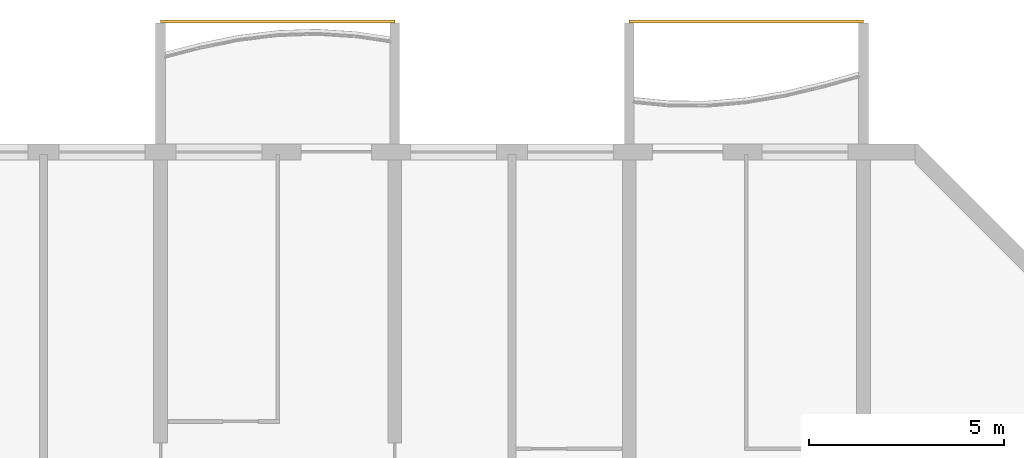
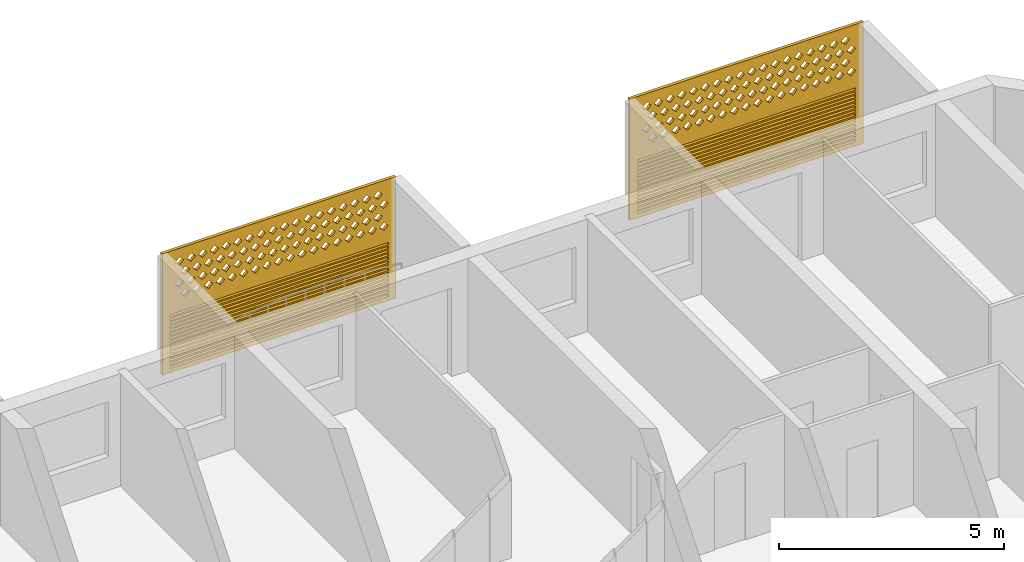
# One storey, part 25 of 25: 2 coverings.
"""IFC4 building model written with IfcOpenShell, lengths in metres."""

from ifc_helpers import new_model, si_unit, direction, frame, origin, place, context, subcontext, project, spatial, polyline, outline, extrude, source, transform, mapped, material, material_profile, profile_set, type_object, element, save


model = new_model("IFC4")

# Units and contexts
model_context = context("Model", 3, precision=1e-05, world=origin(), true_north=direction((0.0, 1.0)))
body_context = subcontext(model_context, "Body", "Model", "MODEL_VIEW")
ifc_project = project(units=[si_unit("LENGTHUNIT", "METRE"), si_unit("AREAUNIT", "SQUARE_METRE"), si_unit("VOLUMEUNIT", "CUBIC_METRE"), si_unit("PLANEANGLEUNIT", "RADIAN"), si_unit("MASSUNIT", "GRAM", prefix="KILO")], contexts=[model_context])

# Site, building, storey
site_placement = place(None, origin())
site = spatial("IfcSite", under=ifc_project, at=site_placement, CompositionType="ELEMENT")
building_placement = place(site_placement, origin())
building = spatial("IfcBuilding", under=site, at=building_placement, Name="Poui Terraces", CompositionType="ELEMENT")
storey_placement = place(building_placement, frame((0.0, 0.0, 89.39990234375)))
storey = spatial("IfcBuildingStorey", under=building, at=storey_placement, Name="L24", CompositionType="ELEMENT", Elevation=89.39990234375)

# Coverings
ifc_material = material(Name="Terracotta screen", Category="masonry")
ifc_material_profile = material_profile(ifc_material, outline(polyline([(-3.0, -1.64990234375), (3.0, -1.64990234375), (3.0, 1.64990234375), (-3.0, 1.64990234375), (-3.0, -1.64990234375)]), holes=[polyline([(-2.800048828125, 0.39990234375), (-2.68994140625, 0.2900390625), (-2.580078125, 0.39990234375), (-2.68994140625, 0.510009765625), (-2.800048828125, 0.39990234375)]), polyline([(-2.5, 0.39990234375), (-2.389892578125, 0.2900390625), (-2.280029296875, 0.39990234375), (-2.389892578125, 0.510009765625), (-2.5, 0.39990234375)]), polyline([(-2.199951171875, 0.39990234375), (-2.090087890625, 0.2900390625), (-1.97998046875, 0.39990234375), (-2.090087890625, 0.510009765625), (-2.199951171875, 0.39990234375)]), polyline([(-1.89990234375, 0.39990234375), (-1.7900390625, 0.2900390625), (-1.679931640625, 0.39990234375), (-1.7900390625, 0.510009765625), (-1.89990234375, 0.39990234375)]), polyline([(-1.60009765625, 0.39990234375), (-1.489990234375, 0.2900390625), (-1.3798828125, 0.39990234375), (-1.489990234375, 0.510009765625), (-1.60009765625, 0.39990234375)]), polyline([(-1.300048828125, 0.39990234375), (-1.18994140625, 0.2900390625), (-1.080078125, 0.39990234375), (-1.18994140625, 0.510009765625), (-1.300048828125, 0.39990234375)]), polyline([(-1.0, 0.39990234375), (-0.889892578125, 0.2900390625), (-0.780029296875, 0.39990234375), (-0.889892578125, 0.510009765625), (-1.0, 0.39990234375)]), polyline([(-0.699951171875, 0.39990234375), (-0.590087890625, 0.2900390625), (-0.47998046875, 0.39990234375), (-0.590087890625, 0.510009765625), (-0.699951171875, 0.39990234375)]), polyline([(-0.39990234375, 0.39990234375), (-0.2900390625, 0.2900390625), (-0.179931640625, 0.39990234375), (-0.2900390625, 0.510009765625), (-0.39990234375, 0.39990234375)]), polyline([(-0.10009765625, 0.39990234375), (0.010009765625, 0.2900390625), (0.1201171875, 0.39990234375), (0.010009765625, 0.510009765625), (-0.10009765625, 0.39990234375)]), polyline([(0.199951171875, 0.39990234375), (0.31005859375, 0.2900390625), (0.419921875, 0.39990234375), (0.31005859375, 0.510009765625), (0.199951171875, 0.39990234375)]), polyline([(0.5, 0.39990234375), (0.610107421875, 0.2900390625), (0.719970703125, 0.39990234375), (0.610107421875, 0.510009765625), (0.5, 0.39990234375)]), polyline([(0.800048828125, 0.39990234375), (0.909912109375, 0.2900390625), (1.02001953125, 0.39990234375), (0.909912109375, 0.510009765625), (0.800048828125, 0.39990234375)]), polyline([(1.10009765625, 0.39990234375), (1.2099609375, 0.2900390625), (1.320068359375, 0.39990234375), (1.2099609375, 0.510009765625), (1.10009765625, 0.39990234375)]), polyline([(1.39990234375, 0.39990234375), (1.510009765625, 0.2900390625), (1.6201171875, 0.39990234375), (1.510009765625, 0.510009765625), (1.39990234375, 0.39990234375)]), polyline([(1.699951171875, 0.39990234375), (1.81005859375, 0.2900390625), (1.919921875, 0.39990234375), (1.81005859375, 0.510009765625), (1.699951171875, 0.39990234375)]), polyline([(2.0, 0.39990234375), (2.110107421875, 0.2900390625), (2.219970703125, 0.39990234375), (2.110107421875, 0.510009765625), (2.0, 0.39990234375)]), polyline([(2.300048828125, 0.39990234375), (2.409912109375, 0.2900390625), (2.52001953125, 0.39990234375), (2.409912109375, 0.510009765625), (2.300048828125, 0.39990234375)]), polyline([(-2.64990234375, 0.699951171875), (-2.5400390625, 0.590087890625), (-2.429931640625, 0.699951171875), (-2.5400390625, 0.81005859375), (-2.64990234375, 0.699951171875)]), polyline([(-2.35009765625, 0.699951171875), (-2.239990234375, 0.590087890625), (-2.1298828125, 0.699951171875), (-2.239990234375, 0.81005859375), (-2.35009765625, 0.699951171875)]), polyline([(-2.050048828125, 0.699951171875), (-1.93994140625, 0.590087890625), (-1.830078125, 0.699951171875), (-1.93994140625, 0.81005859375), (-2.050048828125, 0.699951171875)]), polyline([(-1.75, 0.699951171875), (-1.639892578125, 0.590087890625), (-1.530029296875, 0.699951171875), (-1.639892578125, 0.81005859375), (-1.75, 0.699951171875)]), polyline([(-1.449951171875, 0.699951171875), (-1.340087890625, 0.590087890625), (-1.22998046875, 0.699951171875), (-1.340087890625, 0.81005859375), (-1.449951171875, 0.699951171875)]), polyline([(-1.14990234375, 0.699951171875), (-1.0400390625, 0.590087890625), (-0.929931640625, 0.699951171875), (-1.0400390625, 0.81005859375), (-1.14990234375, 0.699951171875)]), polyline([(-0.85009765625, 0.699951171875), (-0.739990234375, 0.590087890625), (-0.6298828125, 0.699951171875), (-0.739990234375, 0.81005859375), (-0.85009765625, 0.699951171875)]), polyline([(-0.550048828125, 0.699951171875), (-0.43994140625, 0.590087890625), (-0.330078125, 0.699951171875), (-0.43994140625, 0.81005859375), (-0.550048828125, 0.699951171875)]), polyline([(-0.25, 0.699951171875), (-0.139892578125, 0.590087890625), (-0.030029296875, 0.699951171875), (-0.139892578125, 0.81005859375), (-0.25, 0.699951171875)]), polyline([(0.050048828125, 0.699951171875), (0.159912109375, 0.590087890625), (0.27001953125, 0.699951171875), (0.159912109375, 0.81005859375), (0.050048828125, 0.699951171875)]), polyline([(0.35009765625, 0.699951171875), (0.4599609375, 0.590087890625), (0.570068359375, 0.699951171875), (0.4599609375, 0.81005859375), (0.35009765625, 0.699951171875)]), polyline([(0.64990234375, 0.699951171875), (0.760009765625, 0.590087890625), (0.8701171875, 0.699951171875), (0.760009765625, 0.81005859375), (0.64990234375, 0.699951171875)]), polyline([(0.949951171875, 0.699951171875), (1.06005859375, 0.590087890625), (1.169921875, 0.699951171875), (1.06005859375, 0.81005859375), (0.949951171875, 0.699951171875)]), polyline([(1.25, 0.699951171875), (1.360107421875, 0.590087890625), (1.469970703125, 0.699951171875), (1.360107421875, 0.81005859375), (1.25, 0.699951171875)]), polyline([(1.550048828125, 0.699951171875), (1.659912109375, 0.590087890625), (1.77001953125, 0.699951171875), (1.659912109375, 0.81005859375), (1.550048828125, 0.699951171875)]), polyline([(1.85009765625, 0.699951171875), (1.9599609375, 0.590087890625), (2.070068359375, 0.699951171875), (1.9599609375, 0.81005859375), (1.85009765625, 0.699951171875)]), polyline([(2.14990234375, 0.699951171875), (2.260009765625, 0.590087890625), (2.3701171875, 0.699951171875), (2.260009765625, 0.81005859375), (2.14990234375, 0.699951171875)]), polyline([(2.449951171875, 0.699951171875), (2.56005859375, 0.590087890625), (2.669921875, 0.699951171875), (2.56005859375, 0.81005859375), (2.449951171875, 0.699951171875)]), polyline([(-2.800048828125, 1.0), (-2.68994140625, 0.889892578125), (-2.580078125, 1.0), (-2.68994140625, 1.110107421875), (-2.800048828125, 1.0)]), polyline([(-2.5, 1.0), (-2.389892578125, 0.889892578125), (-2.280029296875, 1.0), (-2.389892578125, 1.110107421875), (-2.5, 1.0)]), polyline([(-2.199951171875, 1.0), (-2.090087890625, 0.889892578125), (-1.97998046875, 1.0), (-2.090087890625, 1.110107421875), (-2.199951171875, 1.0)]), polyline([(-1.89990234375, 1.0), (-1.7900390625, 0.889892578125), (-1.679931640625, 1.0), (-1.7900390625, 1.110107421875), (-1.89990234375, 1.0)]), polyline([(-1.60009765625, 1.0), (-1.489990234375, 0.889892578125), (-1.3798828125, 1.0), (-1.489990234375, 1.110107421875), (-1.60009765625, 1.0)]), polyline([(-1.300048828125, 1.0), (-1.18994140625, 0.889892578125), (-1.080078125, 1.0), (-1.18994140625, 1.110107421875), (-1.300048828125, 1.0)]), polyline([(-1.0, 1.0), (-0.889892578125, 0.889892578125), (-0.780029296875, 1.0), (-0.889892578125, 1.110107421875), (-1.0, 1.0)]), polyline([(-0.699951171875, 1.0), (-0.590087890625, 0.889892578125), (-0.47998046875, 1.0), (-0.590087890625, 1.110107421875), (-0.699951171875, 1.0)]), polyline([(-0.39990234375, 1.0), (-0.2900390625, 0.889892578125), (-0.179931640625, 1.0), (-0.2900390625, 1.110107421875), (-0.39990234375, 1.0)]), polyline([(-0.10009765625, 1.0), (0.010009765625, 0.889892578125), (0.1201171875, 1.0), (0.010009765625, 1.110107421875), (-0.10009765625, 1.0)]), polyline([(0.199951171875, 1.0), (0.31005859375, 0.889892578125), (0.419921875, 1.0), (0.31005859375, 1.110107421875), (0.199951171875, 1.0)]), polyline([(0.5, 1.0), (0.610107421875, 0.889892578125), (0.719970703125, 1.0), (0.610107421875, 1.110107421875), (0.5, 1.0)]), polyline([(0.800048828125, 1.0), (0.909912109375, 0.889892578125), (1.02001953125, 1.0), (0.909912109375, 1.110107421875), (0.800048828125, 1.0)]), polyline([(1.10009765625, 1.0), (1.2099609375, 0.889892578125), (1.320068359375, 1.0), (1.2099609375, 1.110107421875), (1.10009765625, 1.0)]), polyline([(1.39990234375, 1.0), (1.510009765625, 0.889892578125), (1.6201171875, 1.0), (1.510009765625, 1.110107421875), (1.39990234375, 1.0)]), polyline([(1.699951171875, 1.0), (1.81005859375, 0.889892578125), (1.919921875, 1.0), (1.81005859375, 1.110107421875), (1.699951171875, 1.0)]), polyline([(2.0, 1.0), (2.110107421875, 0.889892578125), (2.219970703125, 1.0), (2.110107421875, 1.110107421875), (2.0, 1.0)]), polyline([(2.300048828125, 1.0), (2.409912109375, 0.889892578125), (2.52001953125, 1.0), (2.409912109375, 1.110107421875), (2.300048828125, 1.0)]), polyline([(-2.64990234375, 1.300048828125), (-2.5400390625, 1.18994140625), (-2.429931640625, 1.300048828125), (-2.5400390625, 1.409912109375), (-2.64990234375, 1.300048828125)]), polyline([(-2.35009765625, 1.300048828125), (-2.239990234375, 1.18994140625), (-2.1298828125, 1.300048828125), (-2.239990234375, 1.409912109375), (-2.35009765625, 1.300048828125)]), polyline([(-2.050048828125, 1.300048828125), (-1.93994140625, 1.18994140625), (-1.830078125, 1.300048828125), (-1.93994140625, 1.409912109375), (-2.050048828125, 1.300048828125)]), polyline([(-1.75, 1.300048828125), (-1.639892578125, 1.18994140625), (-1.530029296875, 1.300048828125), (-1.639892578125, 1.409912109375), (-1.75, 1.300048828125)]), polyline([(-1.449951171875, 1.300048828125), (-1.340087890625, 1.18994140625), (-1.22998046875, 1.300048828125), (-1.340087890625, 1.409912109375), (-1.449951171875, 1.300048828125)]), polyline([(-1.14990234375, 1.300048828125), (-1.0400390625, 1.18994140625), (-0.929931640625, 1.300048828125), (-1.0400390625, 1.409912109375), (-1.14990234375, 1.300048828125)]), polyline([(-0.85009765625, 1.300048828125), (-0.739990234375, 1.18994140625), (-0.6298828125, 1.300048828125), (-0.739990234375, 1.409912109375), (-0.85009765625, 1.300048828125)]), polyline([(-0.550048828125, 1.300048828125), (-0.43994140625, 1.18994140625), (-0.330078125, 1.300048828125), (-0.43994140625, 1.409912109375), (-0.550048828125, 1.300048828125)]), polyline([(-0.25, 1.300048828125), (-0.139892578125, 1.18994140625), (-0.030029296875, 1.300048828125), (-0.139892578125, 1.409912109375), (-0.25, 1.300048828125)]), polyline([(0.050048828125, 1.300048828125), (0.159912109375, 1.18994140625), (0.27001953125, 1.300048828125), (0.159912109375, 1.409912109375), (0.050048828125, 1.300048828125)]), polyline([(0.35009765625, 1.300048828125), (0.4599609375, 1.18994140625), (0.570068359375, 1.300048828125), (0.4599609375, 1.409912109375), (0.35009765625, 1.300048828125)]), polyline([(0.64990234375, 1.300048828125), (0.760009765625, 1.18994140625), (0.8701171875, 1.300048828125), (0.760009765625, 1.409912109375), (0.64990234375, 1.300048828125)]), polyline([(0.949951171875, 1.300048828125), (1.06005859375, 1.18994140625), (1.169921875, 1.300048828125), (1.06005859375, 1.409912109375), (0.949951171875, 1.300048828125)]), polyline([(1.25, 1.300048828125), (1.360107421875, 1.18994140625), (1.469970703125, 1.300048828125), (1.360107421875, 1.409912109375), (1.25, 1.300048828125)]), polyline([(1.550048828125, 1.300048828125), (1.659912109375, 1.18994140625), (1.77001953125, 1.300048828125), (1.659912109375, 1.409912109375), (1.550048828125, 1.300048828125)]), polyline([(1.85009765625, 1.300048828125), (1.9599609375, 1.18994140625), (2.070068359375, 1.300048828125), (1.9599609375, 1.409912109375), (1.85009765625, 1.300048828125)]), polyline([(2.14990234375, 1.300048828125), (2.260009765625, 1.18994140625), (2.3701171875, 1.300048828125), (2.260009765625, 1.409912109375), (2.14990234375, 1.300048828125)]), polyline([(2.449951171875, 1.300048828125), (2.56005859375, 1.18994140625), (2.669921875, 1.300048828125), (2.56005859375, 1.409912109375), (2.449951171875, 1.300048828125)]), polyline([(-2.800048828125, -1.530029296875), (2.800048828125, -1.530029296875), (2.800048828125, -1.469970703125), (-2.800048828125, -1.469970703125), (-2.800048828125, -1.530029296875)]), polyline([(-2.800048828125, -1.429931640625), (2.800048828125, -1.429931640625), (2.800048828125, -1.3701171875), (-2.800048828125, -1.3701171875), (-2.800048828125, -1.429931640625)]), polyline([(-2.800048828125, -1.330078125), (2.800048828125, -1.330078125), (2.800048828125, -1.27001953125), (-2.800048828125, -1.27001953125), (-2.800048828125, -1.330078125)]), polyline([(-2.800048828125, -1.22998046875), (2.800048828125, -1.22998046875), (2.800048828125, -1.169921875), (-2.800048828125, -1.169921875), (-2.800048828125, -1.22998046875)]), polyline([(-2.800048828125, -1.1298828125), (2.800048828125, -1.1298828125), (2.800048828125, -1.070068359375), (-2.800048828125, -1.070068359375), (-2.800048828125, -1.1298828125)]), polyline([(-2.800048828125, -1.030029296875), (2.800048828125, -1.030029296875), (2.800048828125, -0.969970703125), (-2.800048828125, -0.969970703125), (-2.800048828125, -1.030029296875)]), polyline([(-2.800048828125, -0.929931640625), (2.800048828125, -0.929931640625), (2.800048828125, -0.8701171875), (-2.800048828125, -0.8701171875), (-2.800048828125, -0.929931640625)]), polyline([(-2.800048828125, -0.830078125), (2.800048828125, -0.830078125), (2.800048828125, -0.77001953125), (-2.800048828125, -0.77001953125), (-2.800048828125, -0.830078125)]), polyline([(-2.800048828125, -0.72998046875), (2.800048828125, -0.72998046875), (2.800048828125, -0.669921875), (-2.800048828125, -0.669921875), (-2.800048828125, -0.72998046875)]), polyline([(-2.800048828125, -0.6298828125), (2.800048828125, -0.6298828125), (2.800048828125, -0.570068359375), (-2.800048828125, -0.570068359375), (-2.800048828125, -0.6298828125)]), polyline([(-2.800048828125, -0.530029296875), (2.800048828125, -0.530029296875), (2.800048828125, -0.469970703125), (-2.800048828125, -0.469970703125), (-2.800048828125, -0.530029296875)]), polyline([(-2.800048828125, -0.429931640625), (2.800048828125, -0.429931640625), (2.800048828125, -0.3701171875), (-2.800048828125, -0.3701171875), (-2.800048828125, -0.429931640625)]), polyline([(-2.800048828125, -0.330078125), (2.800048828125, -0.330078125), (2.800048828125, -0.27001953125), (-2.800048828125, -0.27001953125), (-2.800048828125, -0.330078125)]), polyline([(-2.800048828125, -0.22998046875), (2.800048828125, -0.22998046875), (2.800048828125, -0.169921875), (-2.800048828125, -0.169921875), (-2.800048828125, -0.22998046875)]), polyline([(-2.800048828125, -0.1298828125), (2.800048828125, -0.1298828125), (2.800048828125, -0.070068359375), (-2.800048828125, -0.070068359375), (-2.800048828125, -0.1298828125)])]), Name="TERRACOTTA SCREEN AND JALOUSIE LOUVRE 6000X3300")
ifc_profile_set = profile_set([ifc_material_profile], Name="Terracotta screen")
covering_type = type_object("IfcCoveringType", Name="TERRACOTTA SCREEN AND JALOUSIE LOUVRE 6000X3300", PredefinedType="CLADDING", material=ifc_profile_set)
shared_shape = source(origin(), body_context, "Body", "SweptSolid", [
    extrude(outline(polyline([(-3.0, -1.64990234375), (3.0, -1.64990234375), (3.0, 1.64990234375), (-3.0, 1.64990234375), (-3.0, -1.64990234375)]), holes=[polyline([(-2.800048828125, 0.39990234375), (-2.68994140625, 0.2900390625), (-2.580078125, 0.39990234375), (-2.68994140625, 0.510009765625), (-2.800048828125, 0.39990234375)]), polyline([(-2.5, 0.39990234375), (-2.389892578125, 0.2900390625), (-2.280029296875, 0.39990234375), (-2.389892578125, 0.510009765625), (-2.5, 0.39990234375)]), polyline([(-2.199951171875, 0.39990234375), (-2.090087890625, 0.2900390625), (-1.97998046875, 0.39990234375), (-2.090087890625, 0.510009765625), (-2.199951171875, 0.39990234375)]), polyline([(-1.89990234375, 0.39990234375), (-1.7900390625, 0.2900390625), (-1.679931640625, 0.39990234375), (-1.7900390625, 0.510009765625), (-1.89990234375, 0.39990234375)]), polyline([(-1.60009765625, 0.39990234375), (-1.489990234375, 0.2900390625), (-1.3798828125, 0.39990234375), (-1.489990234375, 0.510009765625), (-1.60009765625, 0.39990234375)]), polyline([(-1.300048828125, 0.39990234375), (-1.18994140625, 0.2900390625), (-1.080078125, 0.39990234375), (-1.18994140625, 0.510009765625), (-1.300048828125, 0.39990234375)]), polyline([(-1.0, 0.39990234375), (-0.889892578125, 0.2900390625), (-0.780029296875, 0.39990234375), (-0.889892578125, 0.510009765625), (-1.0, 0.39990234375)]), polyline([(-0.699951171875, 0.39990234375), (-0.590087890625, 0.2900390625), (-0.47998046875, 0.39990234375), (-0.590087890625, 0.510009765625), (-0.699951171875, 0.39990234375)]), polyline([(-0.39990234375, 0.39990234375), (-0.2900390625, 0.2900390625), (-0.179931640625, 0.39990234375), (-0.2900390625, 0.510009765625), (-0.39990234375, 0.39990234375)]), polyline([(-0.10009765625, 0.39990234375), (0.010009765625, 0.2900390625), (0.1201171875, 0.39990234375), (0.010009765625, 0.510009765625), (-0.10009765625, 0.39990234375)]), polyline([(0.199951171875, 0.39990234375), (0.31005859375, 0.2900390625), (0.419921875, 0.39990234375), (0.31005859375, 0.510009765625), (0.199951171875, 0.39990234375)]), polyline([(0.5, 0.39990234375), (0.610107421875, 0.2900390625), (0.719970703125, 0.39990234375), (0.610107421875, 0.510009765625), (0.5, 0.39990234375)]), polyline([(0.800048828125, 0.39990234375), (0.909912109375, 0.2900390625), (1.02001953125, 0.39990234375), (0.909912109375, 0.510009765625), (0.800048828125, 0.39990234375)]), polyline([(1.10009765625, 0.39990234375), (1.2099609375, 0.2900390625), (1.320068359375, 0.39990234375), (1.2099609375, 0.510009765625), (1.10009765625, 0.39990234375)]), polyline([(1.39990234375, 0.39990234375), (1.510009765625, 0.2900390625), (1.6201171875, 0.39990234375), (1.510009765625, 0.510009765625), (1.39990234375, 0.39990234375)]), polyline([(1.699951171875, 0.39990234375), (1.81005859375, 0.2900390625), (1.919921875, 0.39990234375), (1.81005859375, 0.510009765625), (1.699951171875, 0.39990234375)]), polyline([(2.0, 0.39990234375), (2.110107421875, 0.2900390625), (2.219970703125, 0.39990234375), (2.110107421875, 0.510009765625), (2.0, 0.39990234375)]), polyline([(2.300048828125, 0.39990234375), (2.409912109375, 0.2900390625), (2.52001953125, 0.39990234375), (2.409912109375, 0.510009765625), (2.300048828125, 0.39990234375)]), polyline([(-2.64990234375, 0.699951171875), (-2.5400390625, 0.590087890625), (-2.429931640625, 0.699951171875), (-2.5400390625, 0.81005859375), (-2.64990234375, 0.699951171875)]), polyline([(-2.35009765625, 0.699951171875), (-2.239990234375, 0.590087890625), (-2.1298828125, 0.699951171875), (-2.239990234375, 0.81005859375), (-2.35009765625, 0.699951171875)]), polyline([(-2.050048828125, 0.699951171875), (-1.93994140625, 0.590087890625), (-1.830078125, 0.699951171875), (-1.93994140625, 0.81005859375), (-2.050048828125, 0.699951171875)]), polyline([(-1.75, 0.699951171875), (-1.639892578125, 0.590087890625), (-1.530029296875, 0.699951171875), (-1.639892578125, 0.81005859375), (-1.75, 0.699951171875)]), polyline([(-1.449951171875, 0.699951171875), (-1.340087890625, 0.590087890625), (-1.22998046875, 0.699951171875), (-1.340087890625, 0.81005859375), (-1.449951171875, 0.699951171875)]), polyline([(-1.14990234375, 0.699951171875), (-1.0400390625, 0.590087890625), (-0.929931640625, 0.699951171875), (-1.0400390625, 0.81005859375), (-1.14990234375, 0.699951171875)]), polyline([(-0.85009765625, 0.699951171875), (-0.739990234375, 0.590087890625), (-0.6298828125, 0.699951171875), (-0.739990234375, 0.81005859375), (-0.85009765625, 0.699951171875)]), polyline([(-0.550048828125, 0.699951171875), (-0.43994140625, 0.590087890625), (-0.330078125, 0.699951171875), (-0.43994140625, 0.81005859375), (-0.550048828125, 0.699951171875)]), polyline([(-0.25, 0.699951171875), (-0.139892578125, 0.590087890625), (-0.030029296875, 0.699951171875), (-0.139892578125, 0.81005859375), (-0.25, 0.699951171875)]), polyline([(0.050048828125, 0.699951171875), (0.159912109375, 0.590087890625), (0.27001953125, 0.699951171875), (0.159912109375, 0.81005859375), (0.050048828125, 0.699951171875)]), polyline([(0.35009765625, 0.699951171875), (0.4599609375, 0.590087890625), (0.570068359375, 0.699951171875), (0.4599609375, 0.81005859375), (0.35009765625, 0.699951171875)]), polyline([(0.64990234375, 0.699951171875), (0.760009765625, 0.590087890625), (0.8701171875, 0.699951171875), (0.760009765625, 0.81005859375), (0.64990234375, 0.699951171875)]), polyline([(0.949951171875, 0.699951171875), (1.06005859375, 0.590087890625), (1.169921875, 0.699951171875), (1.06005859375, 0.81005859375), (0.949951171875, 0.699951171875)]), polyline([(1.25, 0.699951171875), (1.360107421875, 0.590087890625), (1.469970703125, 0.699951171875), (1.360107421875, 0.81005859375), (1.25, 0.699951171875)]), polyline([(1.550048828125, 0.699951171875), (1.659912109375, 0.590087890625), (1.77001953125, 0.699951171875), (1.659912109375, 0.81005859375), (1.550048828125, 0.699951171875)]), polyline([(1.85009765625, 0.699951171875), (1.9599609375, 0.590087890625), (2.070068359375, 0.699951171875), (1.9599609375, 0.81005859375), (1.85009765625, 0.699951171875)]), polyline([(2.14990234375, 0.699951171875), (2.260009765625, 0.590087890625), (2.3701171875, 0.699951171875), (2.260009765625, 0.81005859375), (2.14990234375, 0.699951171875)]), polyline([(2.449951171875, 0.699951171875), (2.56005859375, 0.590087890625), (2.669921875, 0.699951171875), (2.56005859375, 0.81005859375), (2.449951171875, 0.699951171875)]), polyline([(-2.800048828125, 1.0), (-2.68994140625, 0.889892578125), (-2.580078125, 1.0), (-2.68994140625, 1.110107421875), (-2.800048828125, 1.0)]), polyline([(-2.5, 1.0), (-2.389892578125, 0.889892578125), (-2.280029296875, 1.0), (-2.389892578125, 1.110107421875), (-2.5, 1.0)]), polyline([(-2.199951171875, 1.0), (-2.090087890625, 0.889892578125), (-1.97998046875, 1.0), (-2.090087890625, 1.110107421875), (-2.199951171875, 1.0)]), polyline([(-1.89990234375, 1.0), (-1.7900390625, 0.889892578125), (-1.679931640625, 1.0), (-1.7900390625, 1.110107421875), (-1.89990234375, 1.0)]), polyline([(-1.60009765625, 1.0), (-1.489990234375, 0.889892578125), (-1.3798828125, 1.0), (-1.489990234375, 1.110107421875), (-1.60009765625, 1.0)]), polyline([(-1.300048828125, 1.0), (-1.18994140625, 0.889892578125), (-1.080078125, 1.0), (-1.18994140625, 1.110107421875), (-1.300048828125, 1.0)]), polyline([(-1.0, 1.0), (-0.889892578125, 0.889892578125), (-0.780029296875, 1.0), (-0.889892578125, 1.110107421875), (-1.0, 1.0)]), polyline([(-0.699951171875, 1.0), (-0.590087890625, 0.889892578125), (-0.47998046875, 1.0), (-0.590087890625, 1.110107421875), (-0.699951171875, 1.0)]), polyline([(-0.39990234375, 1.0), (-0.2900390625, 0.889892578125), (-0.179931640625, 1.0), (-0.2900390625, 1.110107421875), (-0.39990234375, 1.0)]), polyline([(-0.10009765625, 1.0), (0.010009765625, 0.889892578125), (0.1201171875, 1.0), (0.010009765625, 1.110107421875), (-0.10009765625, 1.0)]), polyline([(0.199951171875, 1.0), (0.31005859375, 0.889892578125), (0.419921875, 1.0), (0.31005859375, 1.110107421875), (0.199951171875, 1.0)]), polyline([(0.5, 1.0), (0.610107421875, 0.889892578125), (0.719970703125, 1.0), (0.610107421875, 1.110107421875), (0.5, 1.0)]), polyline([(0.800048828125, 1.0), (0.909912109375, 0.889892578125), (1.02001953125, 1.0), (0.909912109375, 1.110107421875), (0.800048828125, 1.0)]), polyline([(1.10009765625, 1.0), (1.2099609375, 0.889892578125), (1.320068359375, 1.0), (1.2099609375, 1.110107421875), (1.10009765625, 1.0)]), polyline([(1.39990234375, 1.0), (1.510009765625, 0.889892578125), (1.6201171875, 1.0), (1.510009765625, 1.110107421875), (1.39990234375, 1.0)]), polyline([(1.699951171875, 1.0), (1.81005859375, 0.889892578125), (1.919921875, 1.0), (1.81005859375, 1.110107421875), (1.699951171875, 1.0)]), polyline([(2.0, 1.0), (2.110107421875, 0.889892578125), (2.219970703125, 1.0), (2.110107421875, 1.110107421875), (2.0, 1.0)]), polyline([(2.300048828125, 1.0), (2.409912109375, 0.889892578125), (2.52001953125, 1.0), (2.409912109375, 1.110107421875), (2.300048828125, 1.0)]), polyline([(-2.64990234375, 1.300048828125), (-2.5400390625, 1.18994140625), (-2.429931640625, 1.300048828125), (-2.5400390625, 1.409912109375), (-2.64990234375, 1.300048828125)]), polyline([(-2.35009765625, 1.300048828125), (-2.239990234375, 1.18994140625), (-2.1298828125, 1.300048828125), (-2.239990234375, 1.409912109375), (-2.35009765625, 1.300048828125)]), polyline([(-2.050048828125, 1.300048828125), (-1.93994140625, 1.18994140625), (-1.830078125, 1.300048828125), (-1.93994140625, 1.409912109375), (-2.050048828125, 1.300048828125)]), polyline([(-1.75, 1.300048828125), (-1.639892578125, 1.18994140625), (-1.530029296875, 1.300048828125), (-1.639892578125, 1.409912109375), (-1.75, 1.300048828125)]), polyline([(-1.449951171875, 1.300048828125), (-1.340087890625, 1.18994140625), (-1.22998046875, 1.300048828125), (-1.340087890625, 1.409912109375), (-1.449951171875, 1.300048828125)]), polyline([(-1.14990234375, 1.300048828125), (-1.0400390625, 1.18994140625), (-0.929931640625, 1.300048828125), (-1.0400390625, 1.409912109375), (-1.14990234375, 1.300048828125)]), polyline([(-0.85009765625, 1.300048828125), (-0.739990234375, 1.18994140625), (-0.6298828125, 1.300048828125), (-0.739990234375, 1.409912109375), (-0.85009765625, 1.300048828125)]), polyline([(-0.550048828125, 1.300048828125), (-0.43994140625, 1.18994140625), (-0.330078125, 1.300048828125), (-0.43994140625, 1.409912109375), (-0.550048828125, 1.300048828125)]), polyline([(-0.25, 1.300048828125), (-0.139892578125, 1.18994140625), (-0.030029296875, 1.300048828125), (-0.139892578125, 1.409912109375), (-0.25, 1.300048828125)]), polyline([(0.050048828125, 1.300048828125), (0.159912109375, 1.18994140625), (0.27001953125, 1.300048828125), (0.159912109375, 1.409912109375), (0.050048828125, 1.300048828125)]), polyline([(0.35009765625, 1.300048828125), (0.4599609375, 1.18994140625), (0.570068359375, 1.300048828125), (0.4599609375, 1.409912109375), (0.35009765625, 1.300048828125)]), polyline([(0.64990234375, 1.300048828125), (0.760009765625, 1.18994140625), (0.8701171875, 1.300048828125), (0.760009765625, 1.409912109375), (0.64990234375, 1.300048828125)]), polyline([(0.949951171875, 1.300048828125), (1.06005859375, 1.18994140625), (1.169921875, 1.300048828125), (1.06005859375, 1.409912109375), (0.949951171875, 1.300048828125)]), polyline([(1.25, 1.300048828125), (1.360107421875, 1.18994140625), (1.469970703125, 1.300048828125), (1.360107421875, 1.409912109375), (1.25, 1.300048828125)]), polyline([(1.550048828125, 1.300048828125), (1.659912109375, 1.18994140625), (1.77001953125, 1.300048828125), (1.659912109375, 1.409912109375), (1.550048828125, 1.300048828125)]), polyline([(1.85009765625, 1.300048828125), (1.9599609375, 1.18994140625), (2.070068359375, 1.300048828125), (1.9599609375, 1.409912109375), (1.85009765625, 1.300048828125)]), polyline([(2.14990234375, 1.300048828125), (2.260009765625, 1.18994140625), (2.3701171875, 1.300048828125), (2.260009765625, 1.409912109375), (2.14990234375, 1.300048828125)]), polyline([(2.449951171875, 1.300048828125), (2.56005859375, 1.18994140625), (2.669921875, 1.300048828125), (2.56005859375, 1.409912109375), (2.449951171875, 1.300048828125)]), polyline([(-2.800048828125, -1.530029296875), (2.800048828125, -1.530029296875), (2.800048828125, -1.469970703125), (-2.800048828125, -1.469970703125), (-2.800048828125, -1.530029296875)]), polyline([(-2.800048828125, -1.429931640625), (2.800048828125, -1.429931640625), (2.800048828125, -1.3701171875), (-2.800048828125, -1.3701171875), (-2.800048828125, -1.429931640625)]), polyline([(-2.800048828125, -1.330078125), (2.800048828125, -1.330078125), (2.800048828125, -1.27001953125), (-2.800048828125, -1.27001953125), (-2.800048828125, -1.330078125)]), polyline([(-2.800048828125, -1.22998046875), (2.800048828125, -1.22998046875), (2.800048828125, -1.169921875), (-2.800048828125, -1.169921875), (-2.800048828125, -1.22998046875)]), polyline([(-2.800048828125, -1.1298828125), (2.800048828125, -1.1298828125), (2.800048828125, -1.070068359375), (-2.800048828125, -1.070068359375), (-2.800048828125, -1.1298828125)]), polyline([(-2.800048828125, -1.030029296875), (2.800048828125, -1.030029296875), (2.800048828125, -0.969970703125), (-2.800048828125, -0.969970703125), (-2.800048828125, -1.030029296875)]), polyline([(-2.800048828125, -0.929931640625), (2.800048828125, -0.929931640625), (2.800048828125, -0.8701171875), (-2.800048828125, -0.8701171875), (-2.800048828125, -0.929931640625)]), polyline([(-2.800048828125, -0.830078125), (2.800048828125, -0.830078125), (2.800048828125, -0.77001953125), (-2.800048828125, -0.77001953125), (-2.800048828125, -0.830078125)]), polyline([(-2.800048828125, -0.72998046875), (2.800048828125, -0.72998046875), (2.800048828125, -0.669921875), (-2.800048828125, -0.669921875), (-2.800048828125, -0.72998046875)]), polyline([(-2.800048828125, -0.6298828125), (2.800048828125, -0.6298828125), (2.800048828125, -0.570068359375), (-2.800048828125, -0.570068359375), (-2.800048828125, -0.6298828125)]), polyline([(-2.800048828125, -0.530029296875), (2.800048828125, -0.530029296875), (2.800048828125, -0.469970703125), (-2.800048828125, -0.469970703125), (-2.800048828125, -0.530029296875)]), polyline([(-2.800048828125, -0.429931640625), (2.800048828125, -0.429931640625), (2.800048828125, -0.3701171875), (-2.800048828125, -0.3701171875), (-2.800048828125, -0.429931640625)]), polyline([(-2.800048828125, -0.330078125), (2.800048828125, -0.330078125), (2.800048828125, -0.27001953125), (-2.800048828125, -0.27001953125), (-2.800048828125, -0.330078125)]), polyline([(-2.800048828125, -0.22998046875), (2.800048828125, -0.22998046875), (2.800048828125, -0.169921875), (-2.800048828125, -0.169921875), (-2.800048828125, -0.22998046875)]), polyline([(-2.800048828125, -0.1298828125), (2.800048828125, -0.1298828125), (2.800048828125, -0.070068359375), (-2.800048828125, -0.070068359375), (-2.800048828125, -0.1298828125)])]), origin(), (0.0, 0.0, 1.0), 0.080078125),
])
for number, where, z_axis, x_axis, name in (
    (1, (75.0, 46.89990234375, 1.4501953125), (0.0, 1.0, 0.0), (-1.0, 0.0, 0.0), "SOLAR SCREEN AND JALOUSIE LOUVRE"),
    (2, (87.0, 46.89990234375, 1.4501953125), (0.0, 1.0, 0.0), (-1.0, 0.0, 0.0), "SOLAR SCREEN AND JALOUSIE LOUVRE"),
):
    element("IfcCovering", number, at=place(storey_placement, frame(where, z_axis=z_axis, x_axis=x_axis)), inside=storey, type_object=covering_type, Name=name, PredefinedType="CLADDING", context=body_context, shape_type="MappedRepresentation", body=[
        mapped(shared_shape, transform((0.0, 0.0, 0.0))),
    ])

save(model, "model.ifc")
